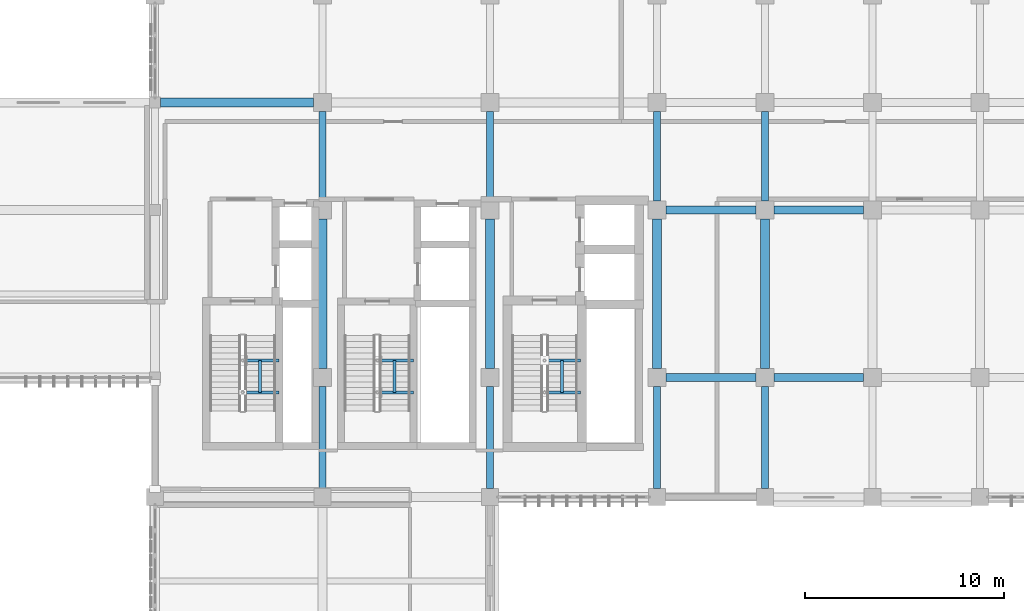
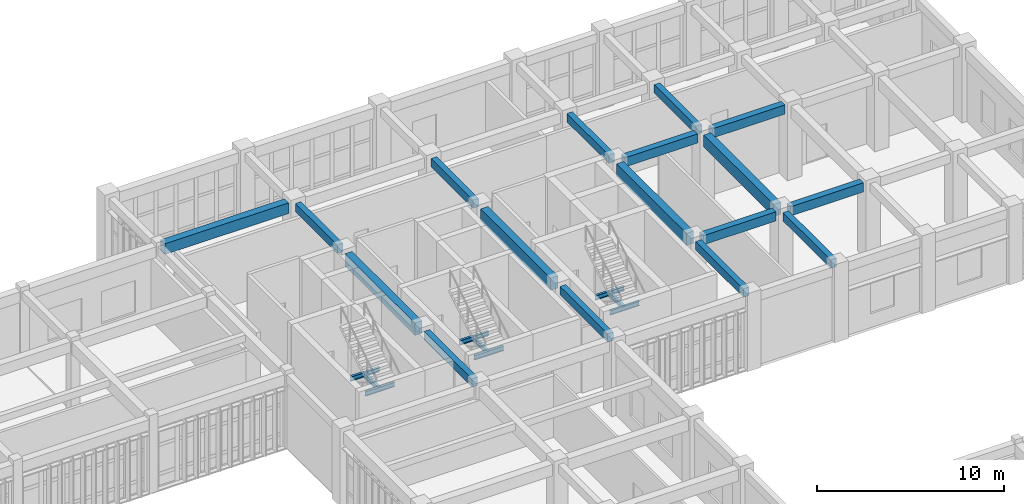
# One storey, part 62 of 106: 26 beams.
"""IFC4 building model written with IfcOpenShell, lengths in metres."""

from ifc_helpers import new_model, si_unit, direction, frame, origin, origin_2d, place, context, subcontext, project, spatial, rectangle, i_section, extrude, material, material_profile, profile_set, type_object, element, save


model = new_model("IFC4")

# Units and contexts
model_context = context("Model", 3, precision=1e-05, world=origin(), true_north=direction((0.0, 1.0)))
body_context = subcontext(model_context, "Body", "Model", "MODEL_VIEW")
ifc_project = project(units=[si_unit("LENGTHUNIT", "METRE"), si_unit("AREAUNIT", "SQUARE_METRE"), si_unit("VOLUMEUNIT", "CUBIC_METRE"), si_unit("PLANEANGLEUNIT", "RADIAN"), si_unit("MASSUNIT", "GRAM", prefix="KILO")], contexts=[model_context])

# Site, building, storey
site_placement = place(None, origin())
site = spatial("IfcSite", under=ifc_project, at=site_placement, CompositionType="ELEMENT")
building_placement = place(site_placement, origin())
building = spatial("IfcBuilding", under=site, at=building_placement, Name="Krzemoval Escarpment Law Courts", CompositionType="ELEMENT")
storey_placement = place(building_placement, frame((0.0, 0.0, 5.10009765625)))
storey = spatial("IfcBuildingStorey", under=building, at=storey_placement, Name="L01", CompositionType="ELEMENT", Elevation=5.10009765625)

# Beams
ifc_material_1 = material(Name="Concrete C40/50", Category="concrete")
ifc_material_profile_1 = material_profile(ifc_material_1, rectangle(XDim=0.35009765625, YDim=0.550048828125, at=origin_2d()), Name="RCB 350x550")
ifc_profile_set_1 = profile_set([ifc_material_profile_1], Name="Concrete C40/50")
beam_type_1 = type_object("IfcBeamType", Name="BM-RC-350x550", PredefinedType="BEAM", material=ifc_profile_set_1)
beam_1_placement = place(storey_placement, frame((134.39990234375, 94.02490234375, 4.544921875), z_axis=(0.0, 1.0, 0.0), x_axis=(-1.0, 0.0, 0.0)))
element("IfcBeam", 1, at=beam_1_placement, inside=storey, type_object=beam_type_1, Name="Beam FG-L01-1532", PredefinedType="BEAM", context=body_context, shape_type="SweptSolid", body=[
    extrude(rectangle(XDim=0.35009765625, YDim=0.550048828125, at=origin_2d()), origin(), (0.0, 0.0, 1.0), 5.125),
])
beam_2_placement = place(storey_placement, frame((134.39990234375, 108.449951171875, 4.544921875), z_axis=(0.0, 1.0, 0.0), x_axis=(-1.0, 0.0, 0.0)))
element("IfcBeam", 2, at=beam_2_placement, inside=storey, type_object=beam_type_1, Name="Beam FG-L01-1534", PredefinedType="BEAM", context=body_context, shape_type="SweptSolid", body=[
    extrude(rectangle(XDim=0.35009765625, YDim=0.550048828125, at=origin_2d()), origin(), (0.0, 0.0, 1.0), 4.5),
])
beam_3_placement = place(storey_placement, frame((142.800048828125, 94.02490234375, 4.544921875), z_axis=(0.0, 1.0, 0.0), x_axis=(-1.0, 0.0, 0.0)))
element("IfcBeam", 3, at=beam_3_placement, inside=storey, type_object=beam_type_1, Name="Beam FG-L01-1548", PredefinedType="BEAM", context=body_context, shape_type="SweptSolid", body=[
    extrude(rectangle(XDim=0.35009765625, YDim=0.550048828125, at=origin_2d()), origin(), (0.0, 0.0, 1.0), 5.125),
])
beam_4_placement = place(storey_placement, frame((142.800048828125, 108.449951171875, 4.544921875), z_axis=(0.0, 1.0, 0.0), x_axis=(-1.0, 0.0, 0.0)))
element("IfcBeam", 4, at=beam_4_placement, inside=storey, type_object=beam_type_1, Name="Beam FG-L01-1550", PredefinedType="BEAM", context=body_context, shape_type="SweptSolid", body=[
    extrude(rectangle(XDim=0.35009765625, YDim=0.550048828125, at=origin_2d()), origin(), (0.0, 0.0, 1.0), 4.5),
])
beam_5_placement = place(storey_placement, frame((151.199951171875, 94.02490234375, 4.544921875), z_axis=(0.0, 1.0, 0.0), x_axis=(-1.0, 0.0, 0.0)))
element("IfcBeam", 5, at=beam_5_placement, inside=storey, type_object=beam_type_1, Name="Beam FG-L01-1560", PredefinedType="BEAM", context=body_context, shape_type="SweptSolid", body=[
    extrude(rectangle(XDim=0.35009765625, YDim=0.550048828125, at=origin_2d()), origin(), (0.0, 0.0, 1.0), 5.125),
])
beam_6_placement = place(storey_placement, frame((151.199951171875, 108.449951171875, 4.544921875), z_axis=(0.0, 1.0, 0.0), x_axis=(-1.0, 0.0, 0.0)))
element("IfcBeam", 6, at=beam_6_placement, inside=storey, type_object=beam_type_1, Name="Beam FG-L01-1562", PredefinedType="BEAM", context=body_context, shape_type="SweptSolid", body=[
    extrude(rectangle(XDim=0.35009765625, YDim=0.550048828125, at=origin_2d()), origin(), (0.0, 0.0, 1.0), 4.5),
])
beam_7_placement = place(storey_placement, frame((156.60009765625, 94.02490234375, 4.544921875), z_axis=(0.0, 1.0, 0.0), x_axis=(-1.0, 0.0, 0.0)))
element("IfcBeam", 7, at=beam_7_placement, inside=storey, type_object=beam_type_1, Name="Beam FG-L01-1568", PredefinedType="BEAM", context=body_context, shape_type="SweptSolid", body=[
    extrude(rectangle(XDim=0.35009765625, YDim=0.550048828125, at=origin_2d()), origin(), (0.0, 0.0, 1.0), 5.125),
])
beam_8_placement = place(storey_placement, frame((156.60009765625, 108.449951171875, 4.544921875), z_axis=(0.0, 1.0, 0.0), x_axis=(-1.0, 0.0, 0.0)))
element("IfcBeam", 8, at=beam_8_placement, inside=storey, type_object=beam_type_1, Name="Beam FG-L01-1570", PredefinedType="BEAM", context=body_context, shape_type="SweptSolid", body=[
    extrude(rectangle(XDim=0.35009765625, YDim=0.550048828125, at=origin_2d()), origin(), (0.0, 0.0, 1.0), 4.5),
])
ifc_material_2 = material(Name="Concrete C40/50", Category="concrete")
ifc_material_profile_2 = material_profile(ifc_material_2, rectangle(XDim=0.39990234375, YDim=0.60009765625, at=origin_2d()), Name="RCB 400x600")
ifc_profile_set_2 = profile_set([ifc_material_profile_2], Name="Concrete C40/50")
beam_type_2 = type_object("IfcBeamType", Name="BM-RC-400x600", PredefinedType="BEAM", material=ifc_profile_set_2)
for number, where, z_axis, x_axis, name in (
    (9, (151.64990234375, 99.60009765625, 4.52001953125), (1.0, 0.0, 0.0), (0.0, 1.0, 0.0), "Beam FG-L01-1314"),
    (10, (157.050048828125, 99.60009765625, 4.52001953125), (1.0, 0.0, 0.0), (0.0, 1.0, 0.0), "Beam FG-L01-1315"),
    (11, (151.64990234375, 108.0, 4.52001953125), (1.0, 0.0, 0.0), (0.0, 1.0, 0.0), "Beam FG-L01-1333"),
    (12, (157.050048828125, 108.0, 4.52001953125), (1.0, 0.0, 0.0), (0.0, 1.0, 0.0), "Beam FG-L01-1334"),
):
    element("IfcBeam", number, at=place(storey_placement, frame(where, z_axis=z_axis, x_axis=x_axis)), inside=storey, type_object=beam_type_2, Name=name, PredefinedType="BEAM", context=body_context, shape_type="SweptSolid", body=[
        extrude(rectangle(XDim=0.39990234375, YDim=0.60009765625, at=origin_2d()), origin(), (0.0, 0.0, 1.0), 4.5),
    ])
ifc_material_3 = material(Name="Concrete C40/50", Category="concrete")
ifc_material_profile_3 = material_profile(ifc_material_3, rectangle(XDim=0.449951171875, YDim=0.699951171875, at=origin_2d()), Name="RCB 450x700")
ifc_profile_set_3 = profile_set([ifc_material_profile_3], Name="Concrete C40/50")
beam_type_3 = type_object("IfcBeamType", Name="BM-RC-450x700", PredefinedType="BEAM", material=ifc_profile_set_3)
beam_9_placement = place(storey_placement, frame((126.27490234375, 113.39990234375, 4.469970703125), z_axis=(1.0, 0.0, 0.0), x_axis=(0.0, 1.0, 0.0)))
element("IfcBeam", 13, at=beam_9_placement, inside=storey, type_object=beam_type_3, Name="Beam FG-L01-1352", PredefinedType="BEAM", context=body_context, shape_type="SweptSolid", body=[
    extrude(rectangle(XDim=0.449951171875, YDim=0.699951171875, at=origin_2d()), origin(), (0.0, 0.0, 1.0), 7.675048828125),
])
ifc_material_4 = material(Name="Concrete C40/50", Category="concrete")
ifc_material_profile_4 = material_profile(ifc_material_4, rectangle(XDim=0.449951171875, YDim=0.800048828125, at=origin_2d()), Name="RCB 450x800")
ifc_profile_set_4 = profile_set([ifc_material_profile_4], Name="Concrete C40/50")
beam_type_4 = type_object("IfcBeamType", Name="BM-RC-450x800", PredefinedType="BEAM", material=ifc_profile_set_4)
for number, where, z_axis, x_axis, name in (
    (14, (134.39990234375, 100.050048828125, 4.419921875), (0.0, 1.0, 0.0), (-1.0, 0.0, 0.0), "Beam FG-L01-1533"),
    (15, (142.800048828125, 100.050048828125, 4.419921875), (0.0, 1.0, 0.0), (-1.0, 0.0, 0.0), "Beam FG-L01-1549"),
    (16, (151.199951171875, 100.050048828125, 4.419921875), (0.0, 1.0, 0.0), (-1.0, 0.0, 0.0), "Beam FG-L01-1561"),
    (17, (156.60009765625, 100.050048828125, 4.419921875), (0.0, 1.0, 0.0), (-1.0, 0.0, 0.0), "Beam FG-L01-1569"),
):
    element("IfcBeam", number, at=place(storey_placement, frame(where, z_axis=z_axis, x_axis=x_axis)), inside=storey, type_object=beam_type_4, Name=name, PredefinedType="BEAM", context=body_context, shape_type="SweptSolid", body=[
        extrude(rectangle(XDim=0.449951171875, YDim=0.800048828125, at=origin_2d()), origin(), (0.0, 0.0, 1.0), 7.5),
    ])
ifc_material_5 = material(Name="Steel S355", Category="steel")
ifc_material_profile_5 = material_profile(ifc_material_5, i_section(OverallWidth=0.14990234375, OverallDepth=0.300048828125, WebThickness=0.007080078125, FlangeThickness=0.0107421875, at=origin_2d()), Name="IPE 300")
ifc_profile_set_5 = profile_set([ifc_material_profile_5], Name="Steel S355")
beam_type_5 = type_object("IfcBeamType", Name="JST-S355-IPE300", PredefinedType="JOIST", material=ifc_profile_set_5)
for number, where, z_axis, x_axis, name in (
    (18, (130.39990234375, 98.860107421875, 2.27001953125), (1.0, 0.0, 0.0), (0.0, 1.0, 0.0), "Stair Well Crosshead SLHW-C1-L01-1"),
    (19, (130.39990234375, 100.4599609375, 2.27001953125), (1.0, 0.0, 0.0), (0.0, 1.0, 0.0), "Stair Well Crosshead SLHW-C1-L01-2"),
):
    element("IfcBeam", number, at=place(storey_placement, frame(where, z_axis=z_axis, x_axis=x_axis)), inside=storey, type_object=beam_type_5, Name=name, PredefinedType="JOIST", context=body_context, shape_type="SweptSolid", body=[
        extrude(i_section(OverallWidth=0.14990234375, OverallDepth=0.300048828125, WebThickness=0.007080078125, FlangeThickness=0.0107421875, at=origin_2d()), origin(), (0.0, 0.0, 1.0), 1.81005859375),
    ])
beam_10_placement = place(storey_placement, frame((131.27490234375, 98.860107421875, 2.27001953125), z_axis=(0.0, 1.0, 0.0), x_axis=(-1.0, 0.0, 0.0)))
element("IfcBeam", 20, at=beam_10_placement, inside=storey, type_object=beam_type_5, Name="Stair Flight Support Stringer SLTW-C1-L01", PredefinedType="JOIST", context=body_context, shape_type="SweptSolid", body=[
    extrude(i_section(OverallWidth=0.14990234375, OverallDepth=0.300048828125, WebThickness=0.007080078125, FlangeThickness=0.0107421875, at=origin_2d()), origin(), (0.0, 0.0, 1.0), 1.599853515625),
])
for number, where, z_axis, x_axis, name in (
    (21, (137.14990234375, 98.860107421875, 2.27001953125), (1.0, 0.0, 0.0), (0.0, 1.0, 0.0), "Stair Well Crosshead SLHW-C2-L01-1"),
    (22, (137.14990234375, 100.4599609375, 2.27001953125), (1.0, 0.0, 0.0), (0.0, 1.0, 0.0), "Stair Well Crosshead SLHW-C2-L01-2"),
):
    element("IfcBeam", number, at=place(storey_placement, frame(where, z_axis=z_axis, x_axis=x_axis)), inside=storey, type_object=beam_type_5, Name=name, PredefinedType="JOIST", context=body_context, shape_type="SweptSolid", body=[
        extrude(i_section(OverallWidth=0.14990234375, OverallDepth=0.300048828125, WebThickness=0.007080078125, FlangeThickness=0.0107421875, at=origin_2d()), origin(), (0.0, 0.0, 1.0), 1.81005859375),
    ])
beam_11_placement = place(storey_placement, frame((138.02490234375, 98.860107421875, 2.27001953125), z_axis=(0.0, 1.0, 0.0), x_axis=(-1.0, 0.0, 0.0)))
element("IfcBeam", 23, at=beam_11_placement, inside=storey, type_object=beam_type_5, Name="Stair Flight Support Stringer SLTW-C2-L01", PredefinedType="JOIST", context=body_context, shape_type="SweptSolid", body=[
    extrude(i_section(OverallWidth=0.14990234375, OverallDepth=0.300048828125, WebThickness=0.007080078125, FlangeThickness=0.0107421875, at=origin_2d()), origin(), (0.0, 0.0, 1.0), 1.599853515625),
])
for number, where, z_axis, x_axis, name in (
    (24, (145.550048828125, 98.860107421875, 2.27001953125), (1.0, 0.0, 0.0), (0.0, 1.0, 0.0), "Stair Well Crosshead SLHW-C3-L01-1"),
    (25, (145.550048828125, 100.4599609375, 2.27001953125), (1.0, 0.0, 0.0), (0.0, 1.0, 0.0), "Stair Well Crosshead SLHW-C3-L01-2"),
):
    element("IfcBeam", number, at=place(storey_placement, frame(where, z_axis=z_axis, x_axis=x_axis)), inside=storey, type_object=beam_type_5, Name=name, PredefinedType="JOIST", context=body_context, shape_type="SweptSolid", body=[
        extrude(i_section(OverallWidth=0.14990234375, OverallDepth=0.300048828125, WebThickness=0.007080078125, FlangeThickness=0.0107421875, at=origin_2d()), origin(), (0.0, 0.0, 1.0), 1.81005859375),
    ])
beam_12_placement = place(storey_placement, frame((146.425048828125, 98.860107421875, 2.27001953125), z_axis=(0.0, 1.0, 0.0), x_axis=(-1.0, 0.0, 0.0)))
element("IfcBeam", 26, at=beam_12_placement, inside=storey, type_object=beam_type_5, Name="Stair Flight Support Stringer SLTW-C3-L01", PredefinedType="JOIST", context=body_context, shape_type="SweptSolid", body=[
    extrude(i_section(OverallWidth=0.14990234375, OverallDepth=0.300048828125, WebThickness=0.007080078125, FlangeThickness=0.0107421875, at=origin_2d()), origin(), (0.0, 0.0, 1.0), 1.599853515625),
])

save(model, "model.ifc")
